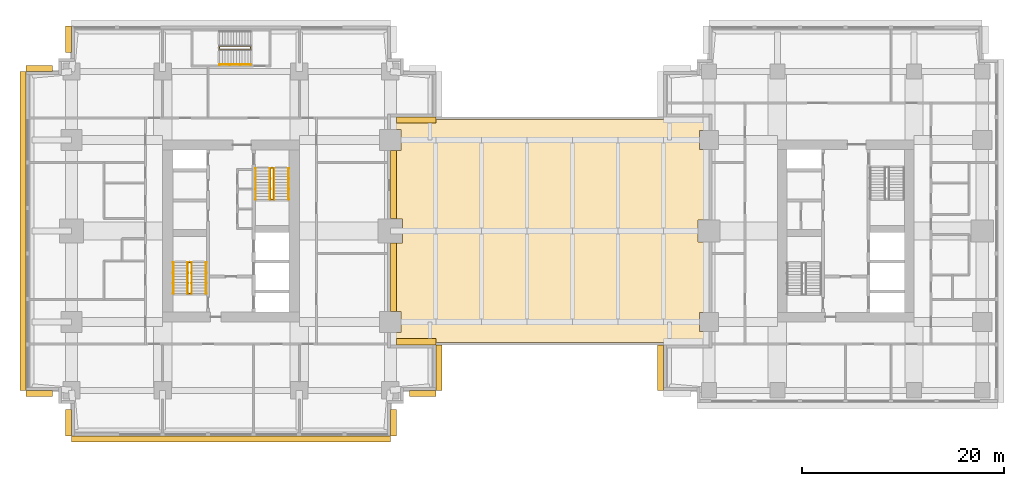
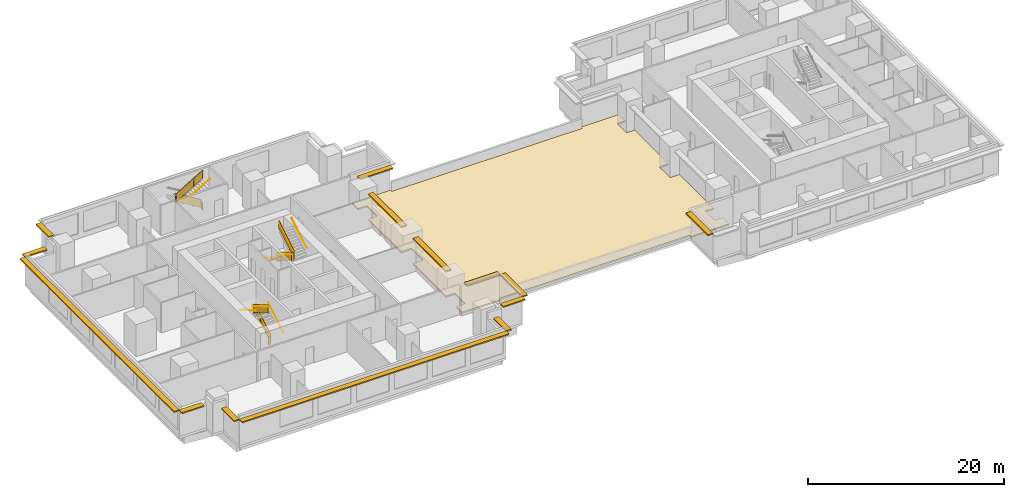
# One storey, part 9 of 10: 14 shading devices, 12 railings, 1 covering.
"""IFC4 building model written with IfcOpenShell, lengths in metres."""

from ifc_helpers import new_model, si_unit, direction, frame, origin, origin_2d, place, context, subcontext, project, spatial, polyline, rectangle, circle, outline, extrude, material, layer, layer_set, type_object, element, save


model = new_model("IFC4")

# Units and contexts
model_context = context("Model", 3, precision=1e-05, world=origin(), true_north=direction((0.0, 1.0)))
body_context = subcontext(model_context, "Body", "Model", "MODEL_VIEW")
ifc_project = project(units=[si_unit("LENGTHUNIT", "METRE"), si_unit("AREAUNIT", "SQUARE_METRE"), si_unit("VOLUMEUNIT", "CUBIC_METRE"), si_unit("PLANEANGLEUNIT", "RADIAN"), si_unit("MASSUNIT", "GRAM", prefix="KILO")], contexts=[model_context])

# Site, building, storey
site_placement = place(None, origin())
site = spatial("IfcSite", under=ifc_project, at=site_placement, CompositionType="ELEMENT")
building_placement = place(site_placement, origin())
building = spatial("IfcBuilding", under=site, at=building_placement, Name="Namib Vertical Campus", CompositionType="ELEMENT")
storey_placement = place(building_placement, frame((0.0, 0.0, 137.0)))
storey = spatial("IfcBuildingStorey", under=building, at=storey_placement, Name="L32", CompositionType="ELEMENT", Elevation=137.0)

# Railings
ifc_material_1 = material(Name="Steel handrail", Category="steel")
railing_type_1 = type_object("IfcRailingType", Name="Handrail 900", PredefinedType="HANDRAIL", material=ifc_material_1)
railing_1_placement = place(storey_placement, frame((17.800048828125, 14.050048828125, 0.166748046875)))
element("IfcRailing", 1, at=railing_1_placement, inside=storey, type_object=railing_type_1, Name="Handrail HR1 A-S1 L32 1", PredefinedType="HANDRAIL", context=body_context, shape_type="SweptSolid", body=[
    extrude(circle(Radius=0.02392578125, at=origin_2d()), frame((0.0, 0.0, 0.8759765625), z_axis=(0.0, 0.859290745958, 0.51148745235), x_axis=(-1.0, 0.0, 0.0)), (0.0, 0.0, 1.0), 3.584228515625),
    extrude(circle(Radius=0.008056640625, at=origin_2d()), frame((0.0, 0.0, 0.8759765625), z_axis=(1.0, 0.0, 0.0), x_axis=(0.0, 0.0, 1.0)), (0.0, 0.0, 1.0), 0.050048828125),
    extrude(circle(Radius=0.008056640625, at=origin_2d()), frame((0.0, 1.026611328125, 1.48681640625), z_axis=(1.0, 0.0, 0.0), x_axis=(0.0, 0.0, 1.0)), (0.0, 0.0, 1.0), 0.050048828125),
    extrude(circle(Radius=0.008056640625, at=origin_2d()), frame((0.0, 2.05322265625, 2.09814453125), z_axis=(1.0, 0.0, 0.0), x_axis=(0.0, 0.0, 1.0)), (0.0, 0.0, 1.0), 0.050048828125),
    extrude(circle(Radius=0.008056640625, at=origin_2d()), frame((0.0, 3.079833984375, 2.708984375), z_axis=(1.0, 0.0, 0.0), x_axis=(0.0, 0.0, 1.0)), (0.0, 0.0, 1.0), 0.050048828125),
])
railing_2_placement = place(storey_placement, frame((14.550048828125, 17.1298828125, 2.166748046875)))
element("IfcRailing", 2, at=railing_2_placement, inside=storey, type_object=railing_type_1, Name="Handrail HR1 A-S1 L32 2", PredefinedType="HANDRAIL", context=body_context, shape_type="SweptSolid", body=[
    extrude(circle(Radius=0.02392578125, at=origin_2d()), frame((0.0, 0.0, 0.8759765625), z_axis=(0.0, -0.859290745958, 0.51148745235), x_axis=(1.0, 0.0, 0.0)), (0.0, 0.0, 1.0), 3.584228515625),
    extrude(circle(Radius=0.008056640625, at=origin_2d()), frame((0.0, 0.0, 0.8759765625), z_axis=(-1.0, 0.0, 0.0), x_axis=(0.0, 0.0, 1.0)), (0.0, 0.0, 1.0), 0.050048828125),
    extrude(circle(Radius=0.008056640625, at=origin_2d()), frame((0.0, -1.026611328125, 1.48681640625), z_axis=(-1.0, 0.0, 0.0), x_axis=(0.0, 0.0, 1.0)), (0.0, 0.0, 1.0), 0.050048828125),
    extrude(circle(Radius=0.008056640625, at=origin_2d()), frame((0.0, -2.05322265625, 2.09814453125), z_axis=(-1.0, 0.0, 0.0), x_axis=(0.0, 0.0, 1.0)), (0.0, 0.0, 1.0), 0.050048828125),
    extrude(circle(Radius=0.008056640625, at=origin_2d()), frame((0.0, -3.079833984375, 2.708984375), z_axis=(-1.0, 0.0, 0.0), x_axis=(0.0, 0.0, 1.0)), (0.0, 0.0, 1.0), 0.050048828125),
])
railing_3_placement = place(storey_placement, frame((16.375, 14.050048828125, 0.166748046875)))
element("IfcRailing", 3, at=railing_3_placement, inside=storey, type_object=railing_type_1, Name="Handrail HR1 A-S1 L32 1 at the well", PredefinedType="HANDRAIL", context=body_context, shape_type="SweptSolid", body=[
    extrude(circle(Radius=0.02392578125, at=origin_2d()), frame((0.0, 0.0, 0.8759765625), z_axis=(0.0, 0.859290745958, 0.51148745235), x_axis=(-1.0, 0.0, 0.0)), (0.0, 0.0, 1.0), 3.584228515625),
    extrude(circle(Radius=0.008056640625, at=origin_2d()), frame((0.0, 0.0, 0.8759765625), z_axis=(-1.0, 0.0, 0.0), x_axis=(0.0, 0.0, 1.0)), (0.0, 0.0, 1.0), 0.0400390625),
    extrude(circle(Radius=0.008056640625, at=origin_2d()), frame((0.0, 1.026611328125, 1.48681640625), z_axis=(-1.0, 0.0, 0.0), x_axis=(0.0, 0.0, 1.0)), (0.0, 0.0, 1.0), 0.0400390625),
    extrude(circle(Radius=0.008056640625, at=origin_2d()), frame((0.0, 2.05322265625, 2.09814453125), z_axis=(-1.0, 0.0, 0.0), x_axis=(0.0, 0.0, 1.0)), (0.0, 0.0, 1.0), 0.0400390625),
    extrude(circle(Radius=0.008056640625, at=origin_2d()), frame((0.0, 3.079833984375, 2.708984375), z_axis=(-1.0, 0.0, 0.0), x_axis=(0.0, 0.0, 1.0)), (0.0, 0.0, 1.0), 0.0400390625),
])
railing_4_placement = place(storey_placement, frame((15.97509765625, 17.1298828125, 2.166748046875)))
element("IfcRailing", 4, at=railing_4_placement, inside=storey, type_object=railing_type_1, Name="Handrail HR1 A-S1 L32 2 at the well", PredefinedType="HANDRAIL", context=body_context, shape_type="SweptSolid", body=[
    extrude(circle(Radius=0.02392578125, at=origin_2d()), frame((0.0, 0.0, 0.8759765625), z_axis=(0.0, -0.859290745958, 0.51148745235), x_axis=(1.0, 0.0, 0.0)), (0.0, 0.0, 1.0), 3.584228515625),
    extrude(circle(Radius=0.008056640625, at=origin_2d()), frame((0.0, 0.0, 0.8759765625), z_axis=(1.0, 0.0, 0.0), x_axis=(0.0, 0.0, 1.0)), (0.0, 0.0, 1.0), 0.0400390625),
    extrude(circle(Radius=0.008056640625, at=origin_2d()), frame((0.0, -1.026611328125, 1.48681640625), z_axis=(1.0, 0.0, 0.0), x_axis=(0.0, 0.0, 1.0)), (0.0, 0.0, 1.0), 0.0400390625),
    extrude(circle(Radius=0.008056640625, at=origin_2d()), frame((0.0, -2.05322265625, 2.09814453125), z_axis=(1.0, 0.0, 0.0), x_axis=(0.0, 0.0, 1.0)), (0.0, 0.0, 1.0), 0.0400390625),
    extrude(circle(Radius=0.008056640625, at=origin_2d()), frame((0.0, -3.079833984375, 2.708984375), z_axis=(1.0, 0.0, 0.0), x_axis=(0.0, 0.0, 1.0)), (0.0, 0.0, 1.0), 0.0400390625),
])
railing_5_placement = place(storey_placement, frame((22.699951171875, 26.449951171875, 0.166748046875)))
element("IfcRailing", 5, at=railing_5_placement, inside=storey, type_object=railing_type_1, Name="Handrail HR1 A-S2 L32 1", PredefinedType="HANDRAIL", context=body_context, shape_type="SweptSolid", body=[
    extrude(circle(Radius=0.02392578125, at=origin_2d()), frame((0.0, 0.0, 0.8759765625), z_axis=(0.0, -0.859290745958, 0.51148745235), x_axis=(1.0, 0.0, 0.0)), (0.0, 0.0, 1.0), 3.584228515625),
    extrude(circle(Radius=0.008056640625, at=origin_2d()), frame((0.0, 0.0, 0.8759765625), z_axis=(-1.0, 0.0, 0.0), x_axis=(0.0, 0.0, 1.0)), (0.0, 0.0, 1.0), 0.050048828125),
    extrude(circle(Radius=0.008056640625, at=origin_2d()), frame((0.0, -1.026611328125, 1.48681640625), z_axis=(-1.0, 0.0, 0.0), x_axis=(0.0, 0.0, 1.0)), (0.0, 0.0, 1.0), 0.050048828125),
    extrude(circle(Radius=0.008056640625, at=origin_2d()), frame((0.0, -2.05322265625, 2.09814453125), z_axis=(-1.0, 0.0, 0.0), x_axis=(0.0, 0.0, 1.0)), (0.0, 0.0, 1.0), 0.050048828125),
    extrude(circle(Radius=0.008056640625, at=origin_2d()), frame((0.0, -3.079833984375, 2.708984375), z_axis=(-1.0, 0.0, 0.0), x_axis=(0.0, 0.0, 1.0)), (0.0, 0.0, 1.0), 0.050048828125),
])
railing_6_placement = place(storey_placement, frame((25.949951171875, 23.3701171875, 2.166748046875)))
element("IfcRailing", 6, at=railing_6_placement, inside=storey, type_object=railing_type_1, Name="Handrail HR1 A-S2 L32 2", PredefinedType="HANDRAIL", context=body_context, shape_type="SweptSolid", body=[
    extrude(circle(Radius=0.02392578125, at=origin_2d()), frame((0.0, 0.0, 0.8759765625), z_axis=(0.0, 0.859290745958, 0.51148745235), x_axis=(-1.0, 0.0, 0.0)), (0.0, 0.0, 1.0), 3.584228515625),
    extrude(circle(Radius=0.008056640625, at=origin_2d()), frame((0.0, 0.0, 0.8759765625), z_axis=(1.0, 0.0, 0.0), x_axis=(0.0, 0.0, 1.0)), (0.0, 0.0, 1.0), 0.050048828125),
    extrude(circle(Radius=0.008056640625, at=origin_2d()), frame((0.0, 1.026611328125, 1.48681640625), z_axis=(1.0, 0.0, 0.0), x_axis=(0.0, 0.0, 1.0)), (0.0, 0.0, 1.0), 0.050048828125),
    extrude(circle(Radius=0.008056640625, at=origin_2d()), frame((0.0, 2.05322265625, 2.09814453125), z_axis=(1.0, 0.0, 0.0), x_axis=(0.0, 0.0, 1.0)), (0.0, 0.0, 1.0), 0.050048828125),
    extrude(circle(Radius=0.008056640625, at=origin_2d()), frame((0.0, 3.079833984375, 2.708984375), z_axis=(1.0, 0.0, 0.0), x_axis=(0.0, 0.0, 1.0)), (0.0, 0.0, 1.0), 0.050048828125),
])
railing_7_placement = place(storey_placement, frame((24.125, 26.449951171875, 0.166748046875)))
element("IfcRailing", 7, at=railing_7_placement, inside=storey, type_object=railing_type_1, Name="Handrail HR1 A-S2 L32 1 at the well", PredefinedType="HANDRAIL", context=body_context, shape_type="SweptSolid", body=[
    extrude(circle(Radius=0.02392578125, at=origin_2d()), frame((0.0, 0.0, 0.8759765625), z_axis=(0.0, -0.859290745958, 0.51148745235), x_axis=(1.0, 0.0, 0.0)), (0.0, 0.0, 1.0), 3.584228515625),
    extrude(circle(Radius=0.008056640625, at=origin_2d()), frame((0.0, 0.0, 0.8759765625), z_axis=(1.0, 0.0, 0.0), x_axis=(0.0, 0.0, 1.0)), (0.0, 0.0, 1.0), 0.0400390625),
    extrude(circle(Radius=0.008056640625, at=origin_2d()), frame((0.0, -1.026611328125, 1.48681640625), z_axis=(1.0, 0.0, 0.0), x_axis=(0.0, 0.0, 1.0)), (0.0, 0.0, 1.0), 0.0400390625),
    extrude(circle(Radius=0.008056640625, at=origin_2d()), frame((0.0, -2.05322265625, 2.09814453125), z_axis=(1.0, 0.0, 0.0), x_axis=(0.0, 0.0, 1.0)), (0.0, 0.0, 1.0), 0.0400390625),
    extrude(circle(Radius=0.008056640625, at=origin_2d()), frame((0.0, -3.079833984375, 2.708984375), z_axis=(1.0, 0.0, 0.0), x_axis=(0.0, 0.0, 1.0)), (0.0, 0.0, 1.0), 0.0400390625),
])
railing_8_placement = place(storey_placement, frame((24.52490234375, 23.3701171875, 2.166748046875)))
element("IfcRailing", 8, at=railing_8_placement, inside=storey, type_object=railing_type_1, Name="Handrail HR1 A-S2 L32 2 at the well", PredefinedType="HANDRAIL", context=body_context, shape_type="SweptSolid", body=[
    extrude(circle(Radius=0.02392578125, at=origin_2d()), frame((0.0, 0.0, 0.8759765625), z_axis=(0.0, 0.859290745958, 0.51148745235), x_axis=(-1.0, 0.0, 0.0)), (0.0, 0.0, 1.0), 3.584228515625),
    extrude(circle(Radius=0.008056640625, at=origin_2d()), frame((0.0, 0.0, 0.8759765625), z_axis=(-1.0, 0.0, 0.0), x_axis=(0.0, 0.0, 1.0)), (0.0, 0.0, 1.0), 0.0400390625),
    extrude(circle(Radius=0.008056640625, at=origin_2d()), frame((0.0, 1.026611328125, 1.48681640625), z_axis=(-1.0, 0.0, 0.0), x_axis=(0.0, 0.0, 1.0)), (0.0, 0.0, 1.0), 0.0400390625),
    extrude(circle(Radius=0.008056640625, at=origin_2d()), frame((0.0, 2.05322265625, 2.09814453125), z_axis=(-1.0, 0.0, 0.0), x_axis=(0.0, 0.0, 1.0)), (0.0, 0.0, 1.0), 0.0400390625),
    extrude(circle(Radius=0.008056640625, at=origin_2d()), frame((0.0, 3.079833984375, 2.708984375), z_axis=(-1.0, 0.0, 0.0), x_axis=(0.0, 0.0, 1.0)), (0.0, 0.0, 1.0), 0.0400390625),
])
railing_9_placement = place(storey_placement, frame((19.1201171875, 36.699951171875, 2.166748046875)))
element("IfcRailing", 9, at=railing_9_placement, inside=storey, type_object=railing_type_1, Name="Handrail HR1 A-S3 L32 2", PredefinedType="HANDRAIL", context=body_context, shape_type="SweptSolid", body=[
    extrude(circle(Radius=0.02392578125, at=origin_2d()), frame((0.0, 0.0, 0.8759765625), z_axis=(0.859290745958, 0.0, 0.51148745235), x_axis=(0.0, 1.0, 0.0)), (0.0, 0.0, 1.0), 3.584228515625),
    extrude(circle(Radius=0.008056640625, at=origin_2d()), frame((0.0, 0.0, 0.8759765625), z_axis=(0.0, -1.0, 0.0), x_axis=(0.0, 0.0, 1.0)), (0.0, 0.0, 1.0), 0.050048828125),
    extrude(circle(Radius=0.008056640625, at=origin_2d()), frame((1.026611328125, 0.0, 1.48681640625), z_axis=(0.0, -1.0, 0.0), x_axis=(0.0, 0.0, 1.0)), (0.0, 0.0, 1.0), 0.050048828125),
    extrude(circle(Radius=0.008056640625, at=origin_2d()), frame((2.05322265625, 0.0, 2.09814453125), z_axis=(0.0, -1.0, 0.0), x_axis=(0.0, 0.0, 1.0)), (0.0, 0.0, 1.0), 0.050048828125),
    extrude(circle(Radius=0.008056640625, at=origin_2d()), frame((3.079833984375, 0.0, 2.708984375), z_axis=(0.0, -1.0, 0.0), x_axis=(0.0, 0.0, 1.0)), (0.0, 0.0, 1.0), 0.050048828125),
])

# Covering
ifc_material_2 = material(Name="Inverted roof: paving slabs on pedestals over 120 mm extruded polystyrene on a hot-applied waterproofing membrane", Category="insulation")
ifc_layer_1 = layer(ifc_material_2, 0.199951171875)
ifc_layer_set_1 = layer_set([ifc_layer_1], Name="Inverted roof build-up 200")
covering_type = type_object("IfcCoveringType", Name="Inverted roof build-up 200", PredefinedType="ROOFING", material=ifc_layer_set_1)
covering_placement = place(storey_placement, origin())
element("IfcCovering", 10, at=covering_placement, inside=storey, type_object=covering_type, Name="Roof build-up RC2 bridge roof 1", PredefinedType="ROOFING", context=body_context, shape_type="SweptSolid", body=[
    extrude(outline(polyline([(36.0, 10.199951171875), (36.0, 9.0), (40.5, 9.0), (40.5, 9.25), (63.0, 9.25), (63.0, 9.0), (67.5, 9.0), (67.5, 10.300048828125), (66.550048828125, 10.300048828125), (66.550048828125, 12.199951171875), (67.5, 12.199951171875), (67.5, 19.14990234375), (66.39990234375, 19.14990234375), (66.39990234375, 21.35009765625), (67.5, 21.35009765625), (67.5, 28.300048828125), (66.550048828125, 28.300048828125), (66.550048828125, 30.199951171875), (67.5, 30.199951171875), (67.5, 31.5), (63.0, 31.5), (63.0, 31.25), (40.5, 31.25), (40.5, 31.5), (36.0, 31.5), (36.0, 30.300048828125), (37.050048828125, 30.300048828125), (37.050048828125, 28.199951171875), (36.0, 28.199951171875), (36.0, 21.449951171875), (37.199951171875, 21.449951171875), (37.199951171875, 19.050048828125), (36.0, 19.050048828125), (36.0, 12.300048828125), (37.050048828125, 12.300048828125), (37.050048828125, 10.199951171875), (36.0, 10.199951171875)])), origin(), (0.0, 0.0, 1.0), 0.199951171875),
])

# Railings
ifc_material_3 = material(Name="Steel balustrade", Category="steel")
railing_type_2 = type_object("IfcRailingType", Name="Stair guard 1100", PredefinedType="GUARDRAIL", material=ifc_material_3)
railing_10_placement = place(storey_placement, frame((16.02490234375, 14.050048828125, 0.0)))
element("IfcRailing", 11, at=railing_10_placement, inside=storey, type_object=railing_type_2, Name="Stair guard GR1 A-S1 L32", PredefinedType="GUARDRAIL", context=body_context, shape_type="SweptSolid", body=[
    extrude(circle(Radius=0.02392578125, at=origin_2d()), frame((0.0, 0.0, 1.076171875), z_axis=(1.0, 0.0, 0.0), x_axis=(0.0, 1.0, 0.0)), (0.0, 0.0, 1.0), 0.300048828125),
    extrude(outline(polyline([(0.02099609375, 0.050048828125), (0.279052734375, 0.050048828125), (0.279052734375, 1.052001953125), (0.02099609375, 1.052001953125), (0.02099609375, 0.050048828125)])), frame((0.0, 0.010009765625, 0.0), z_axis=(0.0, -1.0, 0.0), x_axis=(1.0, 0.0, 0.0)), (0.0, 0.0, 1.0), 0.02001953125),
    extrude(circle(Radius=0.02392578125, at=origin_2d()), frame((0.300048828125, 0.0, 1.076171875), z_axis=(0.0, 0.0, 1.0), x_axis=(1.0, 0.0, 0.0)), (0.0, 0.0, 1.0), 0.166748046875),
    extrude(circle(Radius=0.02392578125, at=origin_2d()), frame((0.300048828125, 0.0, 1.24267578125), z_axis=(0.0, 0.859290745958, 0.51148745235), x_axis=(-1.0, 0.0, 0.0)), (0.0, 0.0, 1.0), 3.584228515625),
    extrude(outline(polyline([(0.02099609375, 0.0625), (3.058837890625, 1.870849609375), (3.058837890625, 2.872802734375), (0.02099609375, 1.064453125), (0.02099609375, 0.0625)])), frame((0.2900390625, 0.0, 0.166748046875), z_axis=(1.0, 0.0, 0.0), x_axis=(0.0, 1.0, 0.0)), (0.0, 0.0, 1.0), 0.02001953125),
    extrude(circle(Radius=0.02392578125, at=origin_2d()), frame((0.300048828125, 3.079833984375, 3.076171875), z_axis=(-1.0, 0.0, 0.0), x_axis=(0.0, -1.0, 0.0)), (0.0, 0.0, 1.0), 0.300048828125),
    extrude(outline(polyline([(0.02099609375, 0.050048828125), (0.279052734375, 0.050048828125), (0.279052734375, 1.052001953125), (0.02099609375, 1.052001953125), (0.02099609375, 0.050048828125)])), frame((0.300048828125, 3.06982421875, 2.0), z_axis=(0.0, 1.0, 0.0), x_axis=(-1.0, 0.0, 0.0)), (0.0, 0.0, 1.0), 0.02001953125),
    extrude(circle(Radius=0.02392578125, at=origin_2d()), frame((0.0, 3.079833984375, 3.076171875), z_axis=(0.0, 0.0, 1.0), x_axis=(1.0, 0.0, 0.0)), (0.0, 0.0, 1.0), 0.166748046875),
    extrude(circle(Radius=0.02392578125, at=origin_2d()), frame((0.0, 3.079833984375, 3.24267578125), z_axis=(0.0, -0.859290745958, 0.51148745235), x_axis=(1.0, 0.0, 0.0)), (0.0, 0.0, 1.0), 3.584228515625),
    extrude(outline(polyline([(0.02099609375, 0.0625), (3.058837890625, 1.870849609375), (3.058837890625, 2.872802734375), (0.02099609375, 1.064453125), (0.02099609375, 0.0625)])), frame((0.010009765625, 3.079833984375, 2.166748046875), z_axis=(-1.0, 0.0, 0.0), x_axis=(0.0, -1.0, 0.0)), (0.0, 0.0, 1.0), 0.02001953125),
    extrude(circle(Radius=0.02392578125, at=origin_2d()), frame((0.0, 0.0, 5.076171875), z_axis=(0.0, -1.0, 0.0), x_axis=(1.0, 0.0, 0.0)), (0.0, 0.0, 1.0), 0.050048828125),
    extrude(outline(polyline([(0.02099609375, 0.050048828125), (0.029052734375, 0.050048828125), (0.029052734375, 1.052001953125), (0.02099609375, 1.052001953125), (0.02099609375, 0.050048828125)])), frame((0.010009765625, 0.0, 4.0), z_axis=(-1.0, 0.0, 0.0), x_axis=(0.0, -1.0, 0.0)), (0.0, 0.0, 1.0), 0.02001953125),
    extrude(circle(Radius=0.02099609375, at=origin_2d()), origin(), (0.0, 0.0, 1.0), 1.052001953125),
    extrude(circle(Radius=0.02099609375, at=origin_2d()), frame((0.300048828125, 0.0, 0.166748046875)), (0.0, 0.0, 1.0), 1.052001953125),
    extrude(circle(Radius=0.02099609375, at=origin_2d()), frame((0.300048828125, 1.026611328125, 0.666748046875)), (0.0, 0.0, 1.0), 1.1630859375),
    extrude(circle(Radius=0.02099609375, at=origin_2d()), frame((0.300048828125, 2.05322265625, 1.33349609375)), (0.0, 0.0, 1.0), 1.107421875),
    extrude(circle(Radius=0.02099609375, at=origin_2d()), frame((0.300048828125, 3.079833984375, 2.0)), (0.0, 0.0, 1.0), 1.052001953125),
    extrude(circle(Radius=0.02099609375, at=origin_2d()), frame((0.0, 3.079833984375, 2.166748046875)), (0.0, 0.0, 1.0), 1.052001953125),
    extrude(circle(Radius=0.02099609375, at=origin_2d()), frame((0.0, 2.05322265625, 2.666748046875)), (0.0, 0.0, 1.0), 1.1630859375),
    extrude(circle(Radius=0.02099609375, at=origin_2d()), frame((0.0, 1.026611328125, 3.33349609375)), (0.0, 0.0, 1.0), 1.107421875),
    extrude(circle(Radius=0.02099609375, at=origin_2d()), frame((0.0, 0.0, 4.0)), (0.0, 0.0, 1.0), 1.052001953125),
    extrude(circle(Radius=0.02099609375, at=origin_2d()), frame((0.0, -0.050048828125, 4.0)), (0.0, 0.0, 1.0), 1.052001953125),
])
railing_11_placement = place(storey_placement, frame((24.47509765625, 26.449951171875, 0.0)))
element("IfcRailing", 12, at=railing_11_placement, inside=storey, type_object=railing_type_2, Name="Stair guard GR1 A-S2 L32", PredefinedType="GUARDRAIL", context=body_context, shape_type="SweptSolid", body=[
    extrude(circle(Radius=0.02392578125, at=origin_2d()), frame((0.0, 0.0, 1.076171875), z_axis=(-1.0, 0.0, 0.0), x_axis=(0.0, -1.0, 0.0)), (0.0, 0.0, 1.0), 0.300048828125),
    extrude(outline(polyline([(0.02099609375, 0.050048828125), (0.279052734375, 0.050048828125), (0.279052734375, 1.052001953125), (0.02099609375, 1.052001953125), (0.02099609375, 0.050048828125)])), frame((0.0, -0.010009765625, 0.0), z_axis=(0.0, 1.0, 0.0), x_axis=(-1.0, 0.0, 0.0)), (0.0, 0.0, 1.0), 0.02001953125),
    extrude(circle(Radius=0.02392578125, at=origin_2d()), frame((-0.300048828125, 0.0, 1.076171875), z_axis=(0.0, 0.0, 1.0), x_axis=(1.0, 0.0, 0.0)), (0.0, 0.0, 1.0), 0.166748046875),
    extrude(circle(Radius=0.02392578125, at=origin_2d()), frame((-0.300048828125, 0.0, 1.24267578125), z_axis=(0.0, -0.859290745958, 0.51148745235), x_axis=(1.0, 0.0, 0.0)), (0.0, 0.0, 1.0), 3.584228515625),
    extrude(outline(polyline([(0.02099609375, 0.0625), (3.058837890625, 1.870849609375), (3.058837890625, 2.872802734375), (0.02099609375, 1.064453125), (0.02099609375, 0.0625)])), frame((-0.2900390625, 0.0, 0.166748046875), z_axis=(-1.0, 0.0, 0.0), x_axis=(0.0, -1.0, 0.0)), (0.0, 0.0, 1.0), 0.02001953125),
    extrude(circle(Radius=0.02392578125, at=origin_2d()), frame((-0.300048828125, -3.079833984375, 3.076171875), z_axis=(1.0, 0.0, 0.0), x_axis=(0.0, 1.0, 0.0)), (0.0, 0.0, 1.0), 0.300048828125),
    extrude(outline(polyline([(0.02099609375, 0.050048828125), (0.279052734375, 0.050048828125), (0.279052734375, 1.052001953125), (0.02099609375, 1.052001953125), (0.02099609375, 0.050048828125)])), frame((-0.300048828125, -3.06982421875, 2.0), z_axis=(0.0, -1.0, 0.0), x_axis=(1.0, 0.0, 0.0)), (0.0, 0.0, 1.0), 0.02001953125),
    extrude(circle(Radius=0.02392578125, at=origin_2d()), frame((0.0, -3.079833984375, 3.076171875), z_axis=(0.0, 0.0, 1.0), x_axis=(1.0, 0.0, 0.0)), (0.0, 0.0, 1.0), 0.166748046875),
    extrude(circle(Radius=0.02392578125, at=origin_2d()), frame((0.0, -3.079833984375, 3.24267578125), z_axis=(0.0, 0.859290745958, 0.51148745235), x_axis=(-1.0, 0.0, 0.0)), (0.0, 0.0, 1.0), 3.584228515625),
    extrude(outline(polyline([(0.02099609375, 0.0625), (3.058837890625, 1.870849609375), (3.058837890625, 2.872802734375), (0.02099609375, 1.064453125), (0.02099609375, 0.0625)])), frame((-0.010009765625, -3.079833984375, 2.166748046875), z_axis=(1.0, 0.0, 0.0), x_axis=(0.0, 1.0, 0.0)), (0.0, 0.0, 1.0), 0.02001953125),
    extrude(circle(Radius=0.02392578125, at=origin_2d()), frame((0.0, 0.0, 5.076171875), z_axis=(0.0, 1.0, 0.0), x_axis=(-1.0, 0.0, 0.0)), (0.0, 0.0, 1.0), 0.050048828125),
    extrude(outline(polyline([(0.02099609375, 0.050048828125), (0.029052734375, 0.050048828125), (0.029052734375, 1.052001953125), (0.02099609375, 1.052001953125), (0.02099609375, 0.050048828125)])), frame((-0.010009765625, 0.0, 4.0), z_axis=(1.0, 0.0, 0.0), x_axis=(0.0, 1.0, 0.0)), (0.0, 0.0, 1.0), 0.02001953125),
    extrude(circle(Radius=0.02099609375, at=origin_2d()), origin(), (0.0, 0.0, 1.0), 1.052001953125),
    extrude(circle(Radius=0.02099609375, at=origin_2d()), frame((-0.300048828125, 0.0, 0.166748046875)), (0.0, 0.0, 1.0), 1.052001953125),
    extrude(circle(Radius=0.02099609375, at=origin_2d()), frame((-0.300048828125, -1.026611328125, 0.666748046875)), (0.0, 0.0, 1.0), 1.1630859375),
    extrude(circle(Radius=0.02099609375, at=origin_2d()), frame((-0.300048828125, -2.05322265625, 1.33349609375)), (0.0, 0.0, 1.0), 1.107421875),
    extrude(circle(Radius=0.02099609375, at=origin_2d()), frame((-0.300048828125, -3.079833984375, 2.0)), (0.0, 0.0, 1.0), 1.052001953125),
    extrude(circle(Radius=0.02099609375, at=origin_2d()), frame((0.0, -3.079833984375, 2.166748046875)), (0.0, 0.0, 1.0), 1.052001953125),
    extrude(circle(Radius=0.02099609375, at=origin_2d()), frame((0.0, -2.05322265625, 2.666748046875)), (0.0, 0.0, 1.0), 1.1630859375),
    extrude(circle(Radius=0.02099609375, at=origin_2d()), frame((0.0, -1.026611328125, 3.33349609375)), (0.0, 0.0, 1.0), 1.107421875),
    extrude(circle(Radius=0.02099609375, at=origin_2d()), frame((0.0, 0.0, 4.0)), (0.0, 0.0, 1.0), 1.052001953125),
    extrude(circle(Radius=0.02099609375, at=origin_2d()), frame((0.0, 0.050048828125, 4.0)), (0.0, 0.0, 1.0), 1.052001953125),
])
railing_12_placement = place(storey_placement, frame((22.199951171875, 38.175048828125, 0.0)))
element("IfcRailing", 13, at=railing_12_placement, inside=storey, type_object=railing_type_2, Name="Stair guard GR1 A-S3 L32", PredefinedType="GUARDRAIL", context=body_context, shape_type="SweptSolid", body=[
    extrude(circle(Radius=0.02392578125, at=origin_2d()), frame((0.0, 0.0, 1.076171875), z_axis=(0.0, 1.0, 0.0), x_axis=(-1.0, 0.0, 0.0)), (0.0, 0.0, 1.0), 0.300048828125),
    extrude(outline(polyline([(0.02099609375, 0.050048828125), (0.279052734375, 0.050048828125), (0.279052734375, 1.052001953125), (0.02099609375, 1.052001953125), (0.02099609375, 0.050048828125)])), frame((-0.010009765625, 0.0, 0.0), z_axis=(1.0, 0.0, 0.0), x_axis=(0.0, 1.0, 0.0)), (0.0, 0.0, 1.0), 0.02001953125),
    extrude(circle(Radius=0.02392578125, at=origin_2d()), frame((0.0, 0.300048828125, 1.076171875), z_axis=(0.0, 0.0, 1.0), x_axis=(1.0, 0.0, 0.0)), (0.0, 0.0, 1.0), 0.166748046875),
    extrude(circle(Radius=0.02392578125, at=origin_2d()), frame((0.0, 0.300048828125, 1.24267578125), z_axis=(-0.859290745958, 0.0, 0.51148745235), x_axis=(0.0, -1.0, 0.0)), (0.0, 0.0, 1.0), 3.584228515625),
    extrude(outline(polyline([(0.02099609375, 0.0625), (3.058837890625, 1.870849609375), (3.058837890625, 2.872802734375), (0.02099609375, 1.064453125), (0.02099609375, 0.0625)])), frame((0.0, 0.2900390625, 0.166748046875), z_axis=(0.0, 1.0, 0.0), x_axis=(-1.0, 0.0, 0.0)), (0.0, 0.0, 1.0), 0.02001953125),
    extrude(circle(Radius=0.02392578125, at=origin_2d()), frame((-3.079833984375, 0.300048828125, 3.076171875), z_axis=(0.0, -1.0, 0.0), x_axis=(1.0, 0.0, 0.0)), (0.0, 0.0, 1.0), 0.300048828125),
    extrude(outline(polyline([(0.02099609375, 0.050048828125), (0.279052734375, 0.050048828125), (0.279052734375, 1.052001953125), (0.02099609375, 1.052001953125), (0.02099609375, 0.050048828125)])), frame((-3.06982421875, 0.300048828125, 2.0), z_axis=(-1.0, 0.0, 0.0), x_axis=(0.0, -1.0, 0.0)), (0.0, 0.0, 1.0), 0.02001953125),
    extrude(circle(Radius=0.02392578125, at=origin_2d()), frame((-3.079833984375, 0.0, 3.076171875), z_axis=(0.0, 0.0, 1.0), x_axis=(1.0, 0.0, 0.0)), (0.0, 0.0, 1.0), 0.166748046875),
    extrude(circle(Radius=0.02392578125, at=origin_2d()), frame((-3.079833984375, 0.0, 3.24267578125), z_axis=(0.859290745958, 0.0, 0.51148745235), x_axis=(0.0, 1.0, 0.0)), (0.0, 0.0, 1.0), 3.584228515625),
    extrude(outline(polyline([(0.02099609375, 0.0625), (3.058837890625, 1.870849609375), (3.058837890625, 2.872802734375), (0.02099609375, 1.064453125), (0.02099609375, 0.0625)])), frame((-3.079833984375, 0.010009765625, 2.166748046875), z_axis=(0.0, -1.0, 0.0), x_axis=(1.0, 0.0, 0.0)), (0.0, 0.0, 1.0), 0.02001953125),
    extrude(circle(Radius=0.02392578125, at=origin_2d()), frame((0.0, 0.0, 5.076171875), z_axis=(1.0, 0.0, 0.0), x_axis=(0.0, 1.0, 0.0)), (0.0, 0.0, 1.0), 0.050048828125),
    extrude(outline(polyline([(0.02099609375, 0.050048828125), (0.029052734375, 0.050048828125), (0.029052734375, 1.052001953125), (0.02099609375, 1.052001953125), (0.02099609375, 0.050048828125)])), frame((0.0, 0.010009765625, 4.0), z_axis=(0.0, -1.0, 0.0), x_axis=(1.0, 0.0, 0.0)), (0.0, 0.0, 1.0), 0.02001953125),
    extrude(circle(Radius=0.02099609375, at=origin_2d()), origin(), (0.0, 0.0, 1.0), 1.052001953125),
    extrude(circle(Radius=0.02099609375, at=origin_2d()), frame((0.0, 0.300048828125, 0.166748046875)), (0.0, 0.0, 1.0), 1.052001953125),
    extrude(circle(Radius=0.02099609375, at=origin_2d()), frame((-1.026611328125, 0.300048828125, 0.666748046875)), (0.0, 0.0, 1.0), 1.1630859375),
    extrude(circle(Radius=0.02099609375, at=origin_2d()), frame((-2.05322265625, 0.300048828125, 1.33349609375)), (0.0, 0.0, 1.0), 1.107421875),
    extrude(circle(Radius=0.02099609375, at=origin_2d()), frame((-3.079833984375, 0.300048828125, 2.0)), (0.0, 0.0, 1.0), 1.052001953125),
    extrude(circle(Radius=0.02099609375, at=origin_2d()), frame((-3.079833984375, 0.0, 2.166748046875)), (0.0, 0.0, 1.0), 1.052001953125),
    extrude(circle(Radius=0.02099609375, at=origin_2d()), frame((-2.05322265625, 0.0, 2.666748046875)), (0.0, 0.0, 1.0), 1.1630859375),
    extrude(circle(Radius=0.02099609375, at=origin_2d()), frame((-1.026611328125, 0.0, 3.33349609375)), (0.0, 0.0, 1.0), 1.107421875),
    extrude(circle(Radius=0.02099609375, at=origin_2d()), frame((0.0, 0.0, 4.0)), (0.0, 0.0, 1.0), 1.052001953125),
    extrude(circle(Radius=0.02099609375, at=origin_2d()), frame((0.050048828125, 0.0, 4.0)), (0.0, 0.0, 1.0), 1.052001953125),
])

# Shading devices
ifc_material_4 = material(Name="Concrete C40/50 precast", Category="concrete")
ifc_layer_2 = layer(ifc_material_4, 0.14990234375)
ifc_layer_set_2 = layer_set([ifc_layer_2], Name="Concrete C40/50 precast")
shading_device_type = type_object("IfcShadingDeviceType", Name="Sunshade hood 600", PredefinedType="SHUTTER", material=ifc_layer_set_2)
shading_device_1_placement = place(storey_placement, frame((4.199951171875, 1.300048828125, 3.199951171875), z_axis=(0.0, 0.0, 1.0), x_axis=(0.0, -1.0, 0.0)))
element("IfcShadingDevice", 14, at=shading_device_1_placement, inside=storey, type_object=shading_device_type, Name="Sunshade SH3 L32 1", PredefinedType="SHUTTER", context=body_context, shape_type="SweptSolid", body=[
    extrude(rectangle(XDim=2.60009765625, YDim=0.60009765625, at=origin_2d()), origin(), (0.0, 0.0, 1.0), 0.14990234375),
])
shading_device_2_placement = place(storey_placement, frame((20.25, -0.300048828125, 3.199951171875), z_axis=(0.0, 0.0, 1.0), x_axis=(1.0, 0.0, 0.0)))
element("IfcShadingDevice", 15, at=shading_device_2_placement, inside=storey, type_object=shading_device_type, Name="Sunshade SH3 L32 2", PredefinedType="SHUTTER", context=body_context, shape_type="SweptSolid", body=[
    extrude(rectangle(XDim=31.5, YDim=0.60009765625, at=origin_2d()), origin(), (0.0, 0.0, 1.0), 0.14990234375),
])
for number, where, z_axis, x_axis, name in (
    (16, (36.300048828125, 1.300048828125, 3.199951171875), (0.0, 0.0, 1.0), (0.0, 1.0, 0.0), "Sunshade SH3 L32 3"),
    (17, (39.199951171875, 4.199951171875, 3.199951171875), (0.0, 0.0, 1.0), (1.0, 0.0, 0.0), "Sunshade SH3 L32 6"),
):
    element("IfcShadingDevice", number, at=place(storey_placement, frame(where, z_axis=z_axis, x_axis=x_axis)), inside=storey, type_object=shading_device_type, Name=name, PredefinedType="SHUTTER", context=body_context, shape_type="SweptSolid", body=[
        extrude(rectangle(XDim=2.60009765625, YDim=0.60009765625, at=origin_2d()), origin(), (0.0, 0.0, 1.0), 0.14990234375),
    ])
shading_device_3_placement = place(storey_placement, frame((40.800048828125, 6.75, 3.199951171875), z_axis=(0.0, 0.0, 1.0), x_axis=(0.0, 1.0, 0.0)))
element("IfcShadingDevice", 18, at=shading_device_3_placement, inside=storey, type_object=shading_device_type, Name="Sunshade SH3 L32 7", PredefinedType="SHUTTER", context=body_context, shape_type="SweptSolid", body=[
    extrude(rectangle(XDim=4.5, YDim=0.60009765625, at=origin_2d()), origin(), (0.0, 0.0, 1.0), 0.14990234375),
])
shading_device_4_placement = place(storey_placement, frame((38.550048828125, 9.300048828125, 3.199951171875), z_axis=(0.0, 0.0, 1.0), x_axis=(-1.0, 0.0, 0.0)))
element("IfcShadingDevice", 19, at=shading_device_4_placement, inside=storey, type_object=shading_device_type, Name="Sunshade SH3 L32 8", PredefinedType="SHUTTER", context=body_context, shape_type="SweptSolid", body=[
    extrude(rectangle(XDim=3.89990234375, YDim=0.60009765625, at=origin_2d()), origin(), (0.0, 0.0, 1.0), 0.14990234375),
])
for number, where, z_axis, x_axis, name in (
    (20, (36.300048828125, 15.675048828125, 3.199951171875), (0.0, 0.0, 1.0), (0.0, 1.0, 0.0), "Sunshade SH3 L32 9.1"),
    (21, (36.300048828125, 24.824951171875, 3.199951171875), (0.0, 0.0, 1.0), (0.0, 1.0, 0.0), "Sunshade SH3 L32 9.2"),
):
    element("IfcShadingDevice", number, at=place(storey_placement, frame(where, z_axis=z_axis, x_axis=x_axis)), inside=storey, type_object=shading_device_type, Name=name, PredefinedType="SHUTTER", context=body_context, shape_type="SweptSolid", body=[
        extrude(rectangle(XDim=6.72998046875, YDim=0.60009765625, at=origin_2d()), origin(), (0.0, 0.0, 1.0), 0.14990234375),
    ])
shading_device_5_placement = place(storey_placement, frame((38.550048828125, 31.199951171875, 3.199951171875), z_axis=(0.0, 0.0, 1.0), x_axis=(1.0, 0.0, 0.0)))
element("IfcShadingDevice", 22, at=shading_device_5_placement, inside=storey, type_object=shading_device_type, Name="Sunshade SH3 L32 10", PredefinedType="SHUTTER", context=body_context, shape_type="SweptSolid", body=[
    extrude(rectangle(XDim=3.89990234375, YDim=0.60009765625, at=origin_2d()), origin(), (0.0, 0.0, 1.0), 0.14990234375),
])
for number, where, z_axis, x_axis, name in (
    (23, (4.199951171875, 39.199951171875, 3.199951171875), (0.0, 0.0, 1.0), (0.0, -1.0, 0.0), "Sunshade SH3 L32 17"),
    (24, (1.300048828125, 36.300048828125, 3.199951171875), (0.0, 0.0, 1.0), (-1.0, 0.0, 0.0), "Sunshade SH3 L32 20"),
):
    element("IfcShadingDevice", number, at=place(storey_placement, frame(where, z_axis=z_axis, x_axis=x_axis)), inside=storey, type_object=shading_device_type, Name=name, PredefinedType="SHUTTER", context=body_context, shape_type="SweptSolid", body=[
        extrude(rectangle(XDim=2.60009765625, YDim=0.60009765625, at=origin_2d()), origin(), (0.0, 0.0, 1.0), 0.14990234375),
    ])
shading_device_6_placement = place(storey_placement, frame((-0.300048828125, 20.25, 3.199951171875), z_axis=(0.0, 0.0, 1.0), x_axis=(0.0, -1.0, 0.0)))
element("IfcShadingDevice", 25, at=shading_device_6_placement, inside=storey, type_object=shading_device_type, Name="Sunshade SH3 L32 21", PredefinedType="SHUTTER", context=body_context, shape_type="SweptSolid", body=[
    extrude(rectangle(XDim=31.5, YDim=0.60009765625, at=origin_2d()), origin(), (0.0, 0.0, 1.0), 0.14990234375),
])
shading_device_7_placement = place(storey_placement, frame((1.300048828125, 4.199951171875, 3.199951171875), z_axis=(0.0, 0.0, 1.0), x_axis=(1.0, 0.0, 0.0)))
element("IfcShadingDevice", 26, at=shading_device_7_placement, inside=storey, type_object=shading_device_type, Name="Sunshade SH3 L32 22", PredefinedType="SHUTTER", context=body_context, shape_type="SweptSolid", body=[
    extrude(rectangle(XDim=2.60009765625, YDim=0.60009765625, at=origin_2d()), origin(), (0.0, 0.0, 1.0), 0.14990234375),
])
shading_device_8_placement = place(storey_placement, frame((62.699951171875, 6.75, 3.199951171875), z_axis=(0.0, 0.0, 1.0), x_axis=(0.0, -1.0, 0.0)))
element("IfcShadingDevice", 27, at=shading_device_8_placement, inside=storey, type_object=shading_device_type, Name="Sunshade SH3 L32 1", PredefinedType="SHUTTER", context=body_context, shape_type="SweptSolid", body=[
    extrude(rectangle(XDim=4.5, YDim=0.60009765625, at=origin_2d()), origin(), (0.0, 0.0, 1.0), 0.14990234375),
])

save(model, "model.ifc")
